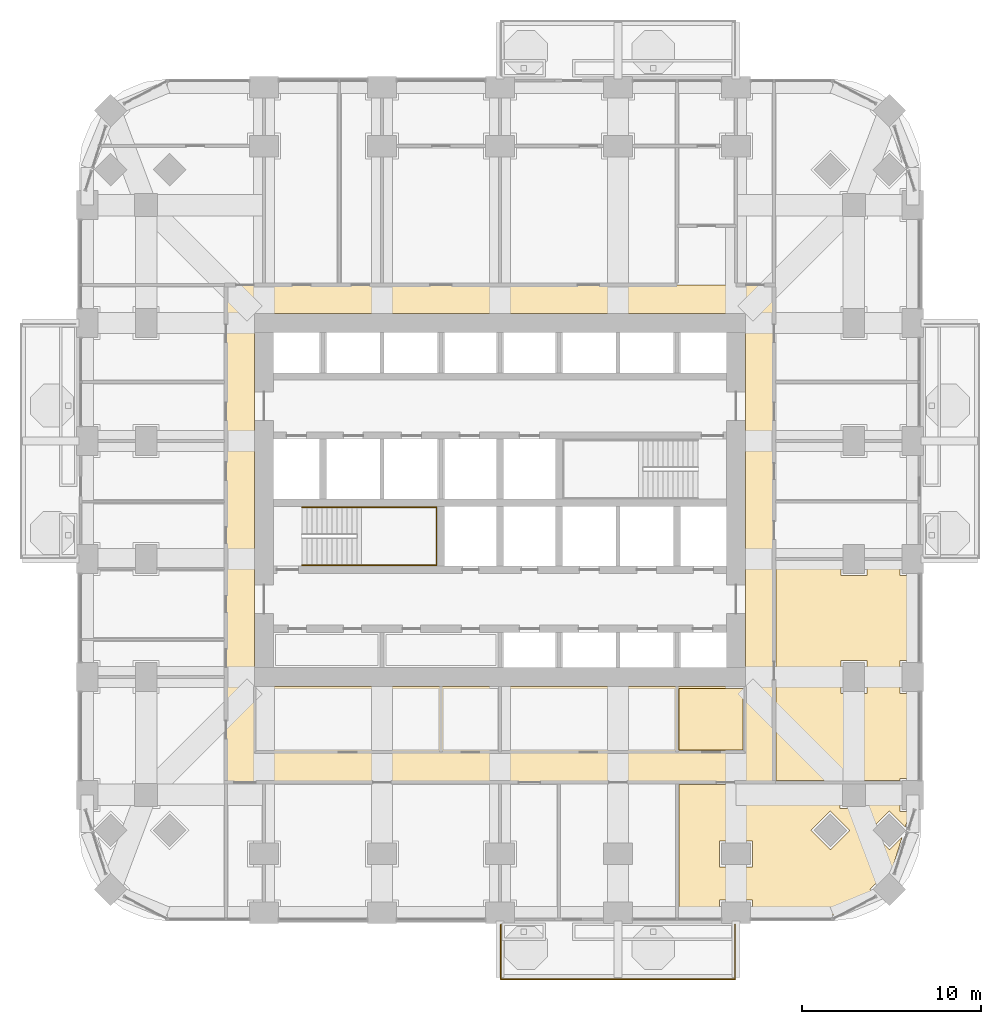
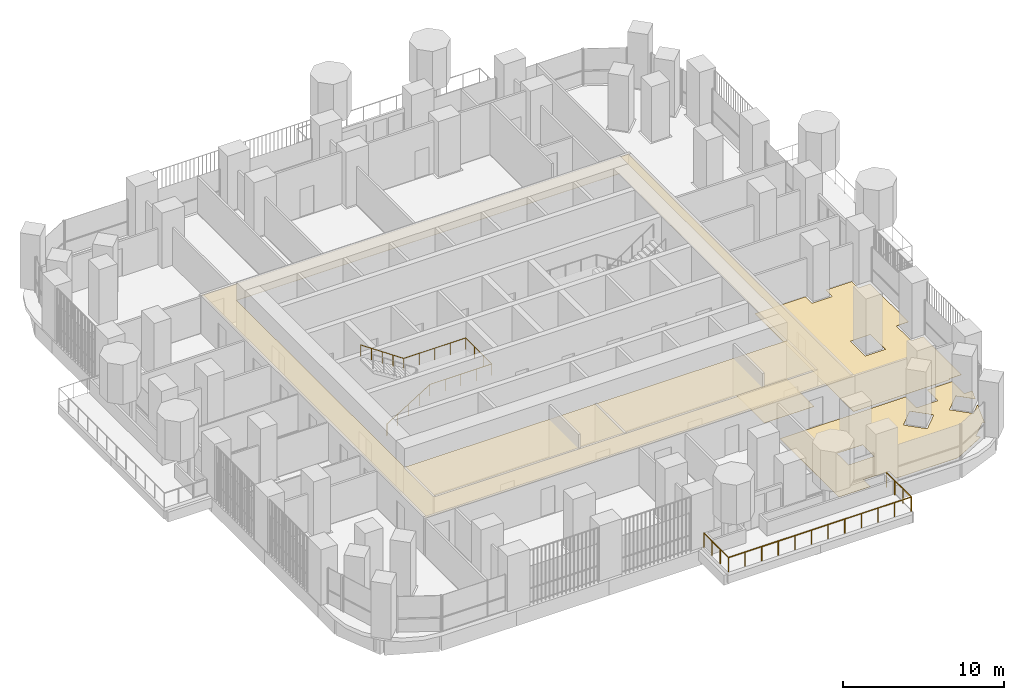
# One storey, part 20 of 23: 4 coverings, 2 railings.
"""IFC4 building model written with IfcOpenShell, lengths in metres."""

from ifc_helpers import new_model, si_unit, direction, frame, origin, place, context, subcontext, project, spatial, polyline, outline, extrude, material, layer, layer_set, type_object, element, save


model = new_model("IFC4")

# Units and contexts
model_context = context("Model", 3, precision=1e-05, world=origin(), true_north=direction((0.0, 1.0)))
body_context = subcontext(model_context, "Body", "Model", "MODEL_VIEW")
ifc_project = project(units=[si_unit("LENGTHUNIT", "METRE"), si_unit("AREAUNIT", "SQUARE_METRE"), si_unit("VOLUMEUNIT", "CUBIC_METRE"), si_unit("PLANEANGLEUNIT", "RADIAN"), si_unit("MASSUNIT", "GRAM", prefix="KILO")], contexts=[model_context])

# Site, building, storey
site_placement = place(None, origin())
site = spatial("IfcSite", under=ifc_project, at=site_placement, CompositionType="ELEMENT")
building_placement = place(site_placement, origin())
building = spatial("IfcBuilding", under=site, at=building_placement, Name="Cobogo Forest Laboratory Tower", CompositionType="ELEMENT")
storey_placement = place(building_placement, frame((0.0, 0.0, 103.199951171875)))
storey = spatial("IfcBuildingStorey", under=building, at=storey_placement, Name="L23", CompositionType="ELEMENT", Elevation=103.199951171875)

# Railing
ifc_material_1 = material(Name="Laminated glass balustrade", Category="glass")
railing_type_1 = type_object("IfcRailingType", Name="BG1 glass balustrade 1100", PredefinedType="GUARDRAIL", material=ifc_material_1)
railing_1_placement = place(storey_placement, frame((26.449951171875, -0.64990234375, 0.0)))
element("IfcRailing", 1, at=railing_1_placement, inside=storey, type_object=railing_type_1, Name="Balcony balustrade BAL-S1 L23", PredefinedType="GUARDRAIL", context=body_context, shape_type="SweptSolid", body=[
    extrude(outline(polyline([(0.022216796875, 0.00927734375), (0.00927734375, 0.022216796875), (-0.00927734375, 0.022216796875), (-0.022216796875, 0.00927734375), (-0.022216796875, -0.00927734375), (-0.00927734375, -0.022216796875), (0.00927734375, -0.022216796875), (0.022216796875, -0.00927734375), (0.022216796875, 0.00927734375)])), frame((0.0, 0.0, 1.077880859375), z_axis=(0.0, -1.0, 0.0), x_axis=(1.0, 0.0, 0.0)), (0.0, 0.0, 1.0), 3.050048828125),
    extrude(outline(polyline([(0.022216796875, 0.00927734375), (0.00927734375, 0.022216796875), (-0.00927734375, 0.022216796875), (-0.022216796875, 0.00927734375), (-0.022216796875, -0.00927734375), (-0.00927734375, -0.022216796875), (0.00927734375, -0.022216796875), (0.022216796875, -0.00927734375), (0.022216796875, 0.00927734375)])), frame((0.0, -3.050048828125, 1.077880859375), z_axis=(1.0, 0.0, 0.0), x_axis=(0.0, 1.0, 0.0)), (0.0, 0.0, 1.0), 13.10009765625),
    extrude(outline(polyline([(0.022216796875, 0.00927734375), (0.00927734375, 0.022216796875), (-0.00927734375, 0.022216796875), (-0.022216796875, 0.00927734375), (-0.022216796875, -0.00927734375), (-0.00927734375, -0.022216796875), (0.00927734375, -0.022216796875), (0.022216796875, -0.00927734375), (0.022216796875, 0.00927734375)])), frame((13.10009765625, -3.050048828125, 1.077880859375), z_axis=(0.0, 1.0, 0.0), x_axis=(-1.0, 0.0, 0.0)), (0.0, 0.0, 1.0), 3.050048828125),
    extrude(outline(polyline([(0.019287109375, 0.008056640625), (0.008056640625, 0.019287109375), (-0.008056640625, 0.019287109375), (-0.019287109375, 0.008056640625), (-0.019287109375, -0.008056640625), (-0.008056640625, -0.019287109375), (0.008056640625, -0.019287109375), (0.019287109375, -0.008056640625), (0.019287109375, 0.008056640625)])), origin(), (0.0, 0.0, 1.0), 1.077880859375),
    extrude(outline(polyline([(0.019287109375, 0.008056640625), (0.008056640625, 0.019287109375), (-0.008056640625, 0.019287109375), (-0.019287109375, 0.008056640625), (-0.019287109375, -0.008056640625), (-0.008056640625, -0.019287109375), (0.008056640625, -0.019287109375), (0.019287109375, -0.008056640625), (0.019287109375, 0.008056640625)])), frame((0.0, -1.0166015625, 0.0)), (0.0, 0.0, 1.0), 1.077880859375),
    extrude(outline(polyline([(0.019287109375, 0.008056640625), (0.008056640625, 0.019287109375), (-0.008056640625, 0.019287109375), (-0.019287109375, 0.008056640625), (-0.019287109375, -0.008056640625), (-0.008056640625, -0.019287109375), (0.008056640625, -0.019287109375), (0.019287109375, -0.008056640625), (0.019287109375, 0.008056640625)])), frame((0.0, -2.033447265625, 0.0)), (0.0, 0.0, 1.0), 1.077880859375),
    extrude(outline(polyline([(0.019287109375, 0.008056640625), (0.008056640625, 0.019287109375), (-0.008056640625, 0.019287109375), (-0.019287109375, 0.008056640625), (-0.019287109375, -0.008056640625), (-0.008056640625, -0.019287109375), (0.008056640625, -0.019287109375), (0.019287109375, -0.008056640625), (0.019287109375, 0.008056640625)])), frame((0.0, -3.050048828125, 0.0)), (0.0, 0.0, 1.0), 1.077880859375),
    extrude(outline(polyline([(0.019287109375, 0.008056640625), (0.008056640625, 0.019287109375), (-0.008056640625, 0.019287109375), (-0.019287109375, 0.008056640625), (-0.019287109375, -0.008056640625), (-0.008056640625, -0.019287109375), (0.008056640625, -0.019287109375), (0.019287109375, -0.008056640625), (0.019287109375, 0.008056640625)])), frame((1.19091796875, -3.050048828125, 0.0)), (0.0, 0.0, 1.0), 1.077880859375),
    extrude(outline(polyline([(0.019287109375, 0.008056640625), (0.008056640625, 0.019287109375), (-0.008056640625, 0.019287109375), (-0.019287109375, 0.008056640625), (-0.019287109375, -0.008056640625), (-0.008056640625, -0.019287109375), (0.008056640625, -0.019287109375), (0.019287109375, -0.008056640625), (0.019287109375, 0.008056640625)])), frame((2.3818359375, -3.050048828125, 0.0)), (0.0, 0.0, 1.0), 1.077880859375),
    extrude(outline(polyline([(0.019287109375, 0.008056640625), (0.008056640625, 0.019287109375), (-0.008056640625, 0.019287109375), (-0.019287109375, 0.008056640625), (-0.019287109375, -0.008056640625), (-0.008056640625, -0.019287109375), (0.008056640625, -0.019287109375), (0.019287109375, -0.008056640625), (0.019287109375, 0.008056640625)])), frame((3.57275390625, -3.050048828125, 0.0)), (0.0, 0.0, 1.0), 1.077880859375),
    extrude(outline(polyline([(0.019287109375, 0.008056640625), (0.008056640625, 0.019287109375), (-0.008056640625, 0.019287109375), (-0.019287109375, 0.008056640625), (-0.019287109375, -0.008056640625), (-0.008056640625, -0.019287109375), (0.008056640625, -0.019287109375), (0.019287109375, -0.008056640625), (0.019287109375, 0.008056640625)])), frame((4.763671875, -3.050048828125, 0.0)), (0.0, 0.0, 1.0), 1.077880859375),
    extrude(outline(polyline([(0.019287109375, 0.008056640625), (0.008056640625, 0.019287109375), (-0.008056640625, 0.019287109375), (-0.019287109375, 0.008056640625), (-0.019287109375, -0.008056640625), (-0.008056640625, -0.019287109375), (0.008056640625, -0.019287109375), (0.019287109375, -0.008056640625), (0.019287109375, 0.008056640625)])), frame((5.95458984375, -3.050048828125, 0.0)), (0.0, 0.0, 1.0), 1.077880859375),
    extrude(outline(polyline([(0.019287109375, 0.008056640625), (0.008056640625, 0.019287109375), (-0.008056640625, 0.019287109375), (-0.019287109375, 0.008056640625), (-0.019287109375, -0.008056640625), (-0.008056640625, -0.019287109375), (0.008056640625, -0.019287109375), (0.019287109375, -0.008056640625), (0.019287109375, 0.008056640625)])), frame((7.1455078125, -3.050048828125, 0.0)), (0.0, 0.0, 1.0), 1.077880859375),
    extrude(outline(polyline([(0.019287109375, 0.008056640625), (0.008056640625, 0.019287109375), (-0.008056640625, 0.019287109375), (-0.019287109375, 0.008056640625), (-0.019287109375, -0.008056640625), (-0.008056640625, -0.019287109375), (0.008056640625, -0.019287109375), (0.019287109375, -0.008056640625), (0.019287109375, 0.008056640625)])), frame((8.33642578125, -3.050048828125, 0.0)), (0.0, 0.0, 1.0), 1.077880859375),
    extrude(outline(polyline([(0.019287109375, 0.008056640625), (0.008056640625, 0.019287109375), (-0.008056640625, 0.019287109375), (-0.019287109375, 0.008056640625), (-0.019287109375, -0.008056640625), (-0.008056640625, -0.019287109375), (0.008056640625, -0.019287109375), (0.019287109375, -0.008056640625), (0.019287109375, 0.008056640625)])), frame((9.52734375, -3.050048828125, 0.0)), (0.0, 0.0, 1.0), 1.077880859375),
    extrude(outline(polyline([(0.019287109375, 0.008056640625), (0.008056640625, 0.019287109375), (-0.008056640625, 0.019287109375), (-0.019287109375, 0.008056640625), (-0.019287109375, -0.008056640625), (-0.008056640625, -0.019287109375), (0.008056640625, -0.019287109375), (0.019287109375, -0.008056640625), (0.019287109375, 0.008056640625)])), frame((10.71826171875, -3.050048828125, 0.0)), (0.0, 0.0, 1.0), 1.077880859375),
    extrude(outline(polyline([(0.019287109375, 0.008056640625), (0.008056640625, 0.019287109375), (-0.008056640625, 0.019287109375), (-0.019287109375, 0.008056640625), (-0.019287109375, -0.008056640625), (-0.008056640625, -0.019287109375), (0.008056640625, -0.019287109375), (0.019287109375, -0.008056640625), (0.019287109375, 0.008056640625)])), frame((11.9091796875, -3.050048828125, 0.0)), (0.0, 0.0, 1.0), 1.077880859375),
    extrude(outline(polyline([(0.019287109375, 0.008056640625), (0.008056640625, 0.019287109375), (-0.008056640625, 0.019287109375), (-0.019287109375, 0.008056640625), (-0.019287109375, -0.008056640625), (-0.008056640625, -0.019287109375), (0.008056640625, -0.019287109375), (0.019287109375, -0.008056640625), (0.019287109375, 0.008056640625)])), frame((13.10009765625, -3.050048828125, 0.0)), (0.0, 0.0, 1.0), 1.077880859375),
    extrude(outline(polyline([(0.019287109375, 0.008056640625), (0.008056640625, 0.019287109375), (-0.008056640625, 0.019287109375), (-0.019287109375, 0.008056640625), (-0.019287109375, -0.008056640625), (-0.008056640625, -0.019287109375), (0.008056640625, -0.019287109375), (0.019287109375, -0.008056640625), (0.019287109375, 0.008056640625)])), frame((13.10009765625, -2.033447265625, 0.0)), (0.0, 0.0, 1.0), 1.077880859375),
    extrude(outline(polyline([(0.019287109375, 0.008056640625), (0.008056640625, 0.019287109375), (-0.008056640625, 0.019287109375), (-0.019287109375, 0.008056640625), (-0.019287109375, -0.008056640625), (-0.008056640625, -0.019287109375), (0.008056640625, -0.019287109375), (0.019287109375, -0.008056640625), (0.019287109375, 0.008056640625)])), frame((13.10009765625, -1.0166015625, 0.0)), (0.0, 0.0, 1.0), 1.077880859375),
    extrude(outline(polyline([(0.019287109375, 0.008056640625), (0.008056640625, 0.019287109375), (-0.008056640625, 0.019287109375), (-0.019287109375, 0.008056640625), (-0.019287109375, -0.008056640625), (-0.008056640625, -0.019287109375), (0.008056640625, -0.019287109375), (0.019287109375, -0.008056640625), (0.019287109375, 0.008056640625)])), frame((13.10009765625, 0.0, 0.0)), (0.0, 0.0, 1.0), 1.077880859375),
])

# Coverings
ifc_material_2 = material(Name="Mineral fibre ceiling tile", Category="ceiling")
ifc_layer_1 = layer(ifc_material_2, 0.02001953125)
ifc_layer_set_1 = layer_set([ifc_layer_1], Name="CL1 suspended ceiling")
covering_type_1 = type_object("IfcCoveringType", Name="CL1 suspended ceiling", PredefinedType="CEILING", material=ifc_layer_set_1)
covering_1_placement = place(storey_placement, frame((0.0, 0.0, 2.800048828125)))
element("IfcCovering", 2, at=covering_1_placement, inside=storey, type_object=covering_type_1, Name="Corridor ceiling L23", PredefinedType="CEILING", context=body_context, shape_type="SweptSolid", body=[
    extrude(outline(polyline([(11.074951171875, 7.300048828125), (11.074951171875, 35.125), (41.72509765625, 35.125), (41.72509765625, 7.300048828125), (11.074951171875, 7.300048828125)]), holes=[polyline([(40.125, 33.52490234375), (12.675048828125, 33.52490234375), (12.675048828125, 12.675048828125), (40.125, 12.675048828125), (40.125, 33.52490234375)])]), origin(), (0.0, 0.0, 1.0), 0.02001953125),
])
ifc_material_3 = material(Name="Carpet tile on raised access floor", Category="flooring")
ifc_layer_2 = layer(ifc_material_3, 0.008056640625)
ifc_layer_set_2 = layer_set([ifc_layer_2], Name="CT1 carpet tile floor 8")
covering_type_2 = type_object("IfcCoveringType", Name="CT1 carpet tile floor 8", PredefinedType="FLOORING", material=ifc_layer_set_2)
covering_2_placement = place(storey_placement, origin())
element("IfcCovering", 3, at=covering_2_placement, inside=storey, type_object=covering_type_2, Name="Carpet floor L23-09", PredefinedType="FLOORING", context=body_context, shape_type="SweptSolid", body=[
    extrude(outline(polyline([(45.429931640625, 5.830078125), (46.969970703125, 5.830078125), (46.969970703125, 7.179931640625), (48.780029296875, 7.179931640625), (48.780029296875, 5.679931640625), (49.349853515625, 5.679931640625), (49.075927734375, 4.81298828125), (48.181884765625, 5.70703125), (47.093017578125, 4.617919921875), (48.181884765625, 3.529052734375), (48.89599609375, 4.2431640625), (48.283935546875, 2.304931640625), (48.181884765625, 2.406982421875), (47.093017578125, 1.318115234375), (47.3193359375, 1.091552734375), (44.95068359375, -0.14990234375), (40.52001953125, -0.14990234375), (40.52001953125, 0.719970703125), (38.679931640625, 0.719970703125), (38.679931640625, -0.14990234375), (36.419921875, -0.14990234375), (36.419921875, 7.179931640625), (45.429931640625, 7.179931640625), (45.429931640625, 5.830078125)]), holes=[polyline([(43.79296875, 4.617919921875), (44.882080078125, 3.529052734375), (45.970947265625, 4.617919921875), (44.882080078125, 5.70703125), (43.79296875, 4.617919921875)]), polyline([(38.679931640625, 4.02001953125), (38.679931640625, 2.580078125), (40.52001953125, 2.580078125), (40.52001953125, 4.02001953125), (38.679931640625, 4.02001953125)])]), origin(), (0.0, 0.0, 1.0), 0.008056640625),
])
covering_3_placement = place(storey_placement, origin())
element("IfcCovering", 4, at=covering_3_placement, inside=storey, type_object=covering_type_2, Name="Carpet floor L23-10", PredefinedType="FLOORING", context=body_context, shape_type="SweptSolid", body=[
    extrude(outline(polyline([(41.844970703125, 19.679931640625), (45.47998046875, 19.679931640625), (45.47998046875, 18.8798828125), (46.919921875, 18.8798828125), (46.919921875, 19.679931640625), (48.780029296875, 19.679931640625), (48.780029296875, 18.8798828125), (49.64990234375, 18.8798828125), (49.64990234375, 14.1201171875), (48.780029296875, 14.1201171875), (48.780029296875, 12.280029296875), (49.64990234375, 12.280029296875), (49.64990234375, 7.52001953125), (48.780029296875, 7.52001953125), (48.780029296875, 7.419921875), (41.844970703125, 7.419921875), (41.844970703125, 19.679931640625)]), holes=[polyline([(45.47998046875, 12.280029296875), (46.919921875, 12.280029296875), (46.919921875, 14.1201171875), (45.47998046875, 14.1201171875), (45.47998046875, 12.280029296875)])]), origin(), (0.0, 0.0, 1.0), 0.008056640625),
])

# Railing
ifc_material_4 = material(Name="Stainless steel handrail", Category="steel")
railing_type_2 = type_object("IfcRailingType", Name="HR handrail 900", PredefinedType="HANDRAIL", material=ifc_material_4)
railing_2_placement = place(storey_placement, frame((15.324951171875, 19.449951171875, 0.175048828125)))
element("IfcRailing", 5, at=railing_2_placement, inside=storey, type_object=railing_type_2, Name="Stair handrail ST1 L23", PredefinedType="HANDRAIL", context=body_context, shape_type="SweptSolid", body=[
    extrude(outline(polyline([(0.022216796875, 0.00927734375), (0.00927734375, 0.022216796875), (-0.00927734375, 0.022216796875), (-0.022216796875, 0.00927734375), (-0.022216796875, -0.00927734375), (-0.00927734375, -0.022216796875), (0.00927734375, -0.022216796875), (0.022216796875, -0.00927734375), (0.022216796875, 0.00927734375)])), frame((0.0, 0.0, 0.877685546875), z_axis=(0.847998304005, 0.0, 0.529998940003), x_axis=(0.0, 1.0, 0.0)), (0.0, 0.0, 1.0), 3.632080078125),
    extrude(outline(polyline([(0.022216796875, 0.00927734375), (0.00927734375, 0.022216796875), (-0.00927734375, 0.022216796875), (-0.022216796875, 0.00927734375), (-0.022216796875, -0.00927734375), (-0.00927734375, -0.022216796875), (0.00927734375, -0.022216796875), (0.022216796875, -0.00927734375), (0.022216796875, 0.00927734375)])), frame((3.080078125, 0.0, 2.802734375), z_axis=(1.0, 0.0, 0.0), x_axis=(0.0, 1.0, 0.0)), (0.0, 0.0, 1.0), 4.445068359375),
    extrude(outline(polyline([(0.022216796875, 0.00927734375), (0.00927734375, 0.022216796875), (-0.00927734375, 0.022216796875), (-0.022216796875, 0.00927734375), (-0.022216796875, -0.00927734375), (-0.00927734375, -0.022216796875), (0.00927734375, -0.022216796875), (0.022216796875, -0.00927734375), (0.022216796875, 0.00927734375)])), frame((7.525146484375, 0.0, 2.802734375), z_axis=(0.0, 1.0, 0.0), x_axis=(-1.0, 0.0, 0.0)), (0.0, 0.0, 1.0), 3.25),
    extrude(outline(polyline([(0.022216796875, 0.00927734375), (0.00927734375, 0.022216796875), (-0.00927734375, 0.022216796875), (-0.022216796875, 0.00927734375), (-0.022216796875, -0.00927734375), (-0.00927734375, -0.022216796875), (0.00927734375, -0.022216796875), (0.022216796875, -0.00927734375), (0.022216796875, 0.00927734375)])), frame((7.525146484375, 3.25, 2.802734375), z_axis=(-1.0, 0.0, 0.0), x_axis=(0.0, -1.0, 0.0)), (0.0, 0.0, 1.0), 4.445068359375),
    extrude(outline(polyline([(0.022216796875, 0.00927734375), (0.00927734375, 0.022216796875), (-0.00927734375, 0.022216796875), (-0.022216796875, 0.00927734375), (-0.022216796875, -0.00927734375), (-0.00927734375, -0.022216796875), (0.00927734375, -0.022216796875), (0.022216796875, -0.00927734375), (0.022216796875, 0.00927734375)])), frame((3.080078125, 3.25, 2.802734375), z_axis=(-0.826252282691, 0.0, 0.563300244406), x_axis=(0.0, -1.0, 0.0)), (0.0, 0.0, 1.0), 3.727783203125),
    extrude(outline(polyline([(0.019287109375, 0.008056640625), (0.008056640625, 0.019287109375), (-0.008056640625, 0.019287109375), (-0.019287109375, 0.008056640625), (-0.019287109375, -0.008056640625), (-0.008056640625, -0.019287109375), (0.008056640625, -0.019287109375), (0.019287109375, -0.008056640625), (0.019287109375, 0.008056640625)])), origin(), (0.0, 0.0, 1.0), 0.877685546875),
    extrude(outline(polyline([(0.019287109375, 0.008056640625), (0.008056640625, 0.019287109375), (-0.008056640625, 0.019287109375), (-0.019287109375, 0.008056640625), (-0.019287109375, -0.008056640625), (-0.008056640625, -0.019287109375), (0.008056640625, -0.019287109375), (0.019287109375, -0.008056640625), (0.019287109375, 0.008056640625)])), frame((0.77001953125, 0.0, 0.481201171875)), (0.0, 0.0, 1.0), 0.877685546875),
    extrude(outline(polyline([(0.019287109375, 0.008056640625), (0.008056640625, 0.019287109375), (-0.008056640625, 0.019287109375), (-0.019287109375, 0.008056640625), (-0.019287109375, -0.008056640625), (-0.008056640625, -0.019287109375), (0.008056640625, -0.019287109375), (0.019287109375, -0.008056640625), (0.019287109375, 0.008056640625)])), frame((1.5400390625, 0.0, 0.96240234375)), (0.0, 0.0, 1.0), 0.877685546875),
    extrude(outline(polyline([(0.019287109375, 0.008056640625), (0.008056640625, 0.019287109375), (-0.008056640625, 0.019287109375), (-0.019287109375, 0.008056640625), (-0.019287109375, -0.008056640625), (-0.008056640625, -0.019287109375), (0.008056640625, -0.019287109375), (0.019287109375, -0.008056640625), (0.019287109375, 0.008056640625)])), frame((2.31005859375, 0.0, 1.44384765625)), (0.0, 0.0, 1.0), 0.877685546875),
    extrude(outline(polyline([(0.019287109375, 0.008056640625), (0.008056640625, 0.019287109375), (-0.008056640625, 0.019287109375), (-0.019287109375, 0.008056640625), (-0.019287109375, -0.008056640625), (-0.008056640625, -0.019287109375), (0.008056640625, -0.019287109375), (0.019287109375, -0.008056640625), (0.019287109375, 0.008056640625)])), frame((3.080078125, 0.0, 1.925048828125)), (0.0, 0.0, 1.0), 0.877685546875),
    extrude(outline(polyline([(0.019287109375, 0.008056640625), (0.008056640625, 0.019287109375), (-0.008056640625, 0.019287109375), (-0.019287109375, 0.008056640625), (-0.019287109375, -0.008056640625), (-0.008056640625, -0.019287109375), (0.008056640625, -0.019287109375), (0.019287109375, -0.008056640625), (0.019287109375, 0.008056640625)])), frame((4.19140625, 0.0, 1.925048828125)), (0.0, 0.0, 1.0), 0.877685546875),
    extrude(outline(polyline([(0.019287109375, 0.008056640625), (0.008056640625, 0.019287109375), (-0.008056640625, 0.019287109375), (-0.019287109375, 0.008056640625), (-0.019287109375, -0.008056640625), (-0.008056640625, -0.019287109375), (0.008056640625, -0.019287109375), (0.019287109375, -0.008056640625), (0.019287109375, 0.008056640625)])), frame((5.302734375, 0.0, 1.925048828125)), (0.0, 0.0, 1.0), 0.877685546875),
    extrude(outline(polyline([(0.019287109375, 0.008056640625), (0.008056640625, 0.019287109375), (-0.008056640625, 0.019287109375), (-0.019287109375, 0.008056640625), (-0.019287109375, -0.008056640625), (-0.008056640625, -0.019287109375), (0.008056640625, -0.019287109375), (0.019287109375, -0.008056640625), (0.019287109375, 0.008056640625)])), frame((6.413818359375, 0.0, 1.925048828125)), (0.0, 0.0, 1.0), 0.877685546875),
    extrude(outline(polyline([(0.019287109375, 0.008056640625), (0.008056640625, 0.019287109375), (-0.008056640625, 0.019287109375), (-0.019287109375, 0.008056640625), (-0.019287109375, -0.008056640625), (-0.008056640625, -0.019287109375), (0.008056640625, -0.019287109375), (0.019287109375, -0.008056640625), (0.019287109375, 0.008056640625)])), frame((7.525146484375, 0.0, 1.925048828125)), (0.0, 0.0, 1.0), 0.877685546875),
    extrude(outline(polyline([(0.019287109375, 0.008056640625), (0.008056640625, 0.019287109375), (-0.008056640625, 0.019287109375), (-0.019287109375, 0.008056640625), (-0.019287109375, -0.008056640625), (-0.008056640625, -0.019287109375), (0.008056640625, -0.019287109375), (0.019287109375, -0.008056640625), (0.019287109375, 0.008056640625)])), frame((7.525146484375, 1.083251953125, 1.925048828125)), (0.0, 0.0, 1.0), 0.877685546875),
    extrude(outline(polyline([(0.019287109375, 0.008056640625), (0.008056640625, 0.019287109375), (-0.008056640625, 0.019287109375), (-0.019287109375, 0.008056640625), (-0.019287109375, -0.008056640625), (-0.008056640625, -0.019287109375), (0.008056640625, -0.019287109375), (0.019287109375, -0.008056640625), (0.019287109375, 0.008056640625)])), frame((7.525146484375, 2.166748046875, 1.925048828125)), (0.0, 0.0, 1.0), 0.877685546875),
    extrude(outline(polyline([(0.019287109375, 0.008056640625), (0.008056640625, 0.019287109375), (-0.008056640625, 0.019287109375), (-0.019287109375, 0.008056640625), (-0.019287109375, -0.008056640625), (-0.008056640625, -0.019287109375), (0.008056640625, -0.019287109375), (0.019287109375, -0.008056640625), (0.019287109375, 0.008056640625)])), frame((7.525146484375, 3.25, 1.925048828125)), (0.0, 0.0, 1.0), 0.877685546875),
    extrude(outline(polyline([(0.019287109375, 0.008056640625), (0.008056640625, 0.019287109375), (-0.008056640625, 0.019287109375), (-0.019287109375, 0.008056640625), (-0.019287109375, -0.008056640625), (-0.008056640625, -0.019287109375), (0.008056640625, -0.019287109375), (0.019287109375, -0.008056640625), (0.019287109375, 0.008056640625)])), frame((6.413818359375, 3.25, 1.925048828125)), (0.0, 0.0, 1.0), 0.877685546875),
    extrude(outline(polyline([(0.019287109375, 0.008056640625), (0.008056640625, 0.019287109375), (-0.008056640625, 0.019287109375), (-0.019287109375, 0.008056640625), (-0.019287109375, -0.008056640625), (-0.008056640625, -0.019287109375), (0.008056640625, -0.019287109375), (0.019287109375, -0.008056640625), (0.019287109375, 0.008056640625)])), frame((5.302734375, 3.25, 1.925048828125)), (0.0, 0.0, 1.0), 0.877685546875),
    extrude(outline(polyline([(0.019287109375, 0.008056640625), (0.008056640625, 0.019287109375), (-0.008056640625, 0.019287109375), (-0.019287109375, 0.008056640625), (-0.019287109375, -0.008056640625), (-0.008056640625, -0.019287109375), (0.008056640625, -0.019287109375), (0.019287109375, -0.008056640625), (0.019287109375, 0.008056640625)])), frame((4.19140625, 3.25, 1.925048828125)), (0.0, 0.0, 1.0), 0.877685546875),
    extrude(outline(polyline([(0.019287109375, 0.008056640625), (0.008056640625, 0.019287109375), (-0.008056640625, 0.019287109375), (-0.019287109375, 0.008056640625), (-0.019287109375, -0.008056640625), (-0.008056640625, -0.019287109375), (0.008056640625, -0.019287109375), (0.019287109375, -0.008056640625), (0.019287109375, 0.008056640625)])), frame((3.080078125, 3.25, 1.925048828125)), (0.0, 0.0, 1.0), 0.877685546875),
    extrude(outline(polyline([(0.019287109375, 0.008056640625), (0.008056640625, 0.019287109375), (-0.008056640625, 0.019287109375), (-0.019287109375, 0.008056640625), (-0.019287109375, -0.008056640625), (-0.008056640625, -0.019287109375), (0.008056640625, -0.019287109375), (0.019287109375, -0.008056640625), (0.019287109375, 0.008056640625)])), frame((2.31005859375, 3.25, 2.449951171875)), (0.0, 0.0, 1.0), 0.877685546875),
    extrude(outline(polyline([(0.019287109375, 0.008056640625), (0.008056640625, 0.019287109375), (-0.008056640625, 0.019287109375), (-0.019287109375, 0.008056640625), (-0.019287109375, -0.008056640625), (-0.008056640625, -0.019287109375), (0.008056640625, -0.019287109375), (0.019287109375, -0.008056640625), (0.019287109375, 0.008056640625)])), frame((1.5400390625, 3.25, 2.97509765625)), (0.0, 0.0, 1.0), 0.877685546875),
    extrude(outline(polyline([(0.019287109375, 0.008056640625), (0.008056640625, 0.019287109375), (-0.008056640625, 0.019287109375), (-0.019287109375, 0.008056640625), (-0.019287109375, -0.008056640625), (-0.008056640625, -0.019287109375), (0.008056640625, -0.019287109375), (0.019287109375, -0.008056640625), (0.019287109375, 0.008056640625)])), frame((0.77001953125, 3.25, 3.5)), (0.0, 0.0, 1.0), 0.877685546875),
    extrude(outline(polyline([(0.019287109375, 0.008056640625), (0.008056640625, 0.019287109375), (-0.008056640625, 0.019287109375), (-0.019287109375, 0.008056640625), (-0.019287109375, -0.008056640625), (-0.008056640625, -0.019287109375), (0.008056640625, -0.019287109375), (0.019287109375, -0.008056640625), (0.019287109375, 0.008056640625)])), frame((0.0, 3.25, 4.02490234375)), (0.0, 0.0, 1.0), 0.877685546875),
])

# Covering
ifc_material_5 = material(Name="Ceramic floor tile", Category="flooring")
ifc_layer_3 = layer(ifc_material_5, 0.010009765625)
ifc_layer_set_3 = layer_set([ifc_layer_3], Name="TF1 ceramic tile floor 10")
covering_type_3 = type_object("IfcCoveringType", Name="TF1 ceramic tile floor 10", PredefinedType="FLOORING", material=ifc_layer_set_3)
covering_4_placement = place(storey_placement, origin())
element("IfcCovering", 6, at=covering_4_placement, inside=storey, type_object=covering_type_3, Name="Tile floor L23-04", PredefinedType="FLOORING", context=body_context, shape_type="SweptSolid", body=[
    extrude(outline(polyline([(40.0048828125, 9.1201171875), (36.419921875, 9.1201171875), (36.419921875, 12.554931640625), (40.0048828125, 12.554931640625), (40.0048828125, 9.1201171875)])), origin(), (0.0, 0.0, 1.0), 0.010009765625),
])

save(model, "model.ifc")
